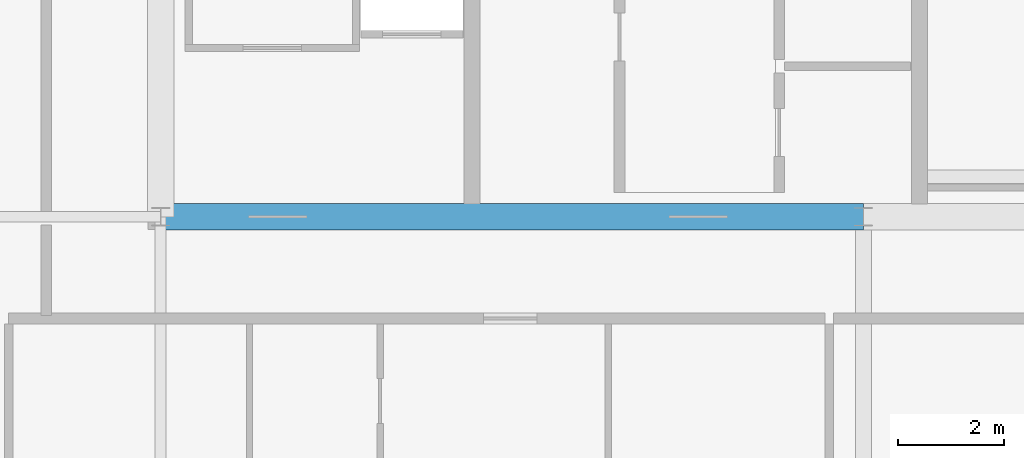
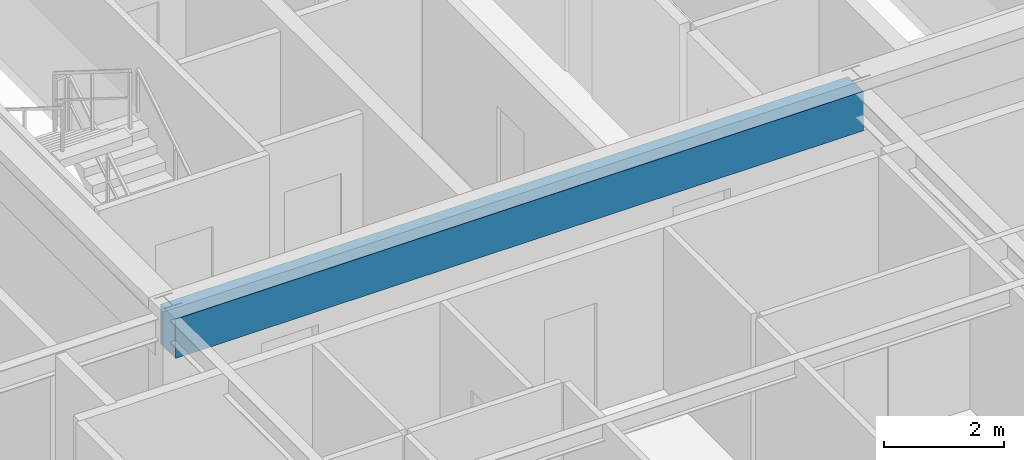
# One storey, part 7 of 35: 1 beam.
"""IFC4 building model written with IfcOpenShell, lengths in metres."""

from ifc_helpers import new_model, si_unit, direction, frame, origin, origin_2d, place, context, subcontext, project, spatial, rectangle, extrude, source, transform, mapped, material, material_profile, profile_set, type_object, element, save


model = new_model("IFC4")

# Units and contexts
model_context = context("Model", 3, precision=1e-05, world=origin(), true_north=direction((0.0, 1.0)))
body_context = subcontext(model_context, "Body", "Model", "MODEL_VIEW")
ifc_project = project(units=[si_unit("LENGTHUNIT", "METRE"), si_unit("AREAUNIT", "SQUARE_METRE"), si_unit("VOLUMEUNIT", "CUBIC_METRE"), si_unit("PLANEANGLEUNIT", "RADIAN"), si_unit("MASSUNIT", "GRAM", prefix="KILO"), si_unit("THERMODYNAMICTEMPERATUREUNIT", "KELVIN"), si_unit("POWERUNIT", "WATT")], contexts=[model_context])

# Site, building, storey
site_placement = place(None, origin())
site = spatial("IfcSite", under=ifc_project, at=site_placement, CompositionType="ELEMENT")
building_placement = place(site_placement, origin())
building = spatial("IfcBuilding", under=site, at=building_placement, Name="Yuzanri Waterfront Tower", CompositionType="ELEMENT")
storey_placement = place(building_placement, frame((0.0, 0.0, 296.10009765625)))
storey = spatial("IfcBuildingStorey", under=building, at=storey_placement, Name="L79", CompositionType="ELEMENT", Elevation=296.10009765625)

# Beam
ifc_material = material(Name="Concrete C50", Category="concrete")
ifc_material_profile = material_profile(ifc_material, rectangle(XDim=0.5, YDim=0.800048828125, at=origin_2d()), Name="RC 500x800")
ifc_profile_set = profile_set([ifc_material_profile], Name="Concrete C50")
beam_type = type_object("IfcBeamType", Name="Core Coupling Lintel Concrete C50 500x800", PredefinedType="LINTEL", material=ifc_profile_set)
shared_shape = source(origin(), body_context, "Body", "SweptSolid", [
    extrude(rectangle(XDim=0.5, YDim=0.800048828125, at=origin_2d()), origin(), (0.0, 0.0, 1.0), 13.199951171875),
])
beam_placement = place(storey_placement, frame((23.800048828125, 19.39990234375, 2.8798828125), z_axis=(1.0, 0.0, 0.0), x_axis=(0.0, 1.0, 0.0)))
element("IfcBeam", 1, at=beam_placement, inside=storey, type_object=beam_type, Name="L79 Core Tie Beam CS1", PredefinedType="LINTEL", context=body_context, shape_type="MappedRepresentation", body=[
    mapped(shared_shape, transform((0.0, 0.0, 0.0), scale=1.0)),
])

save(model, "model.ifc")
